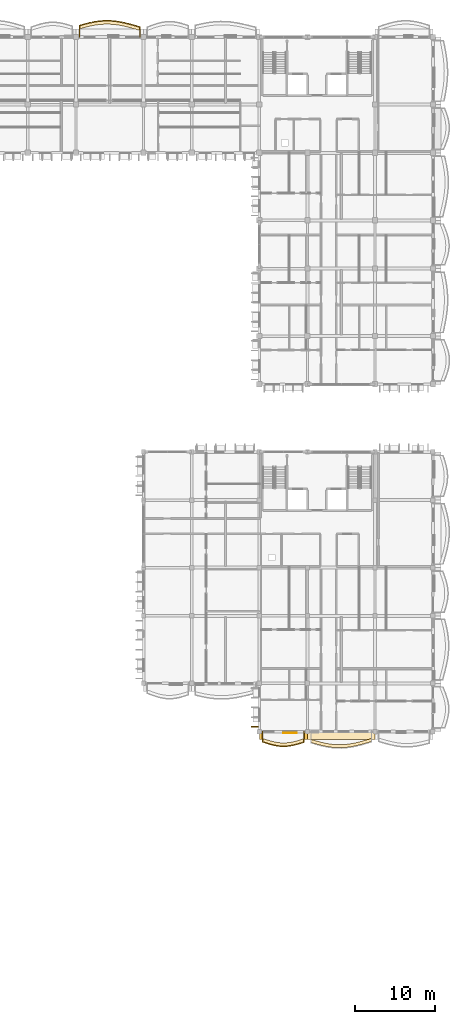
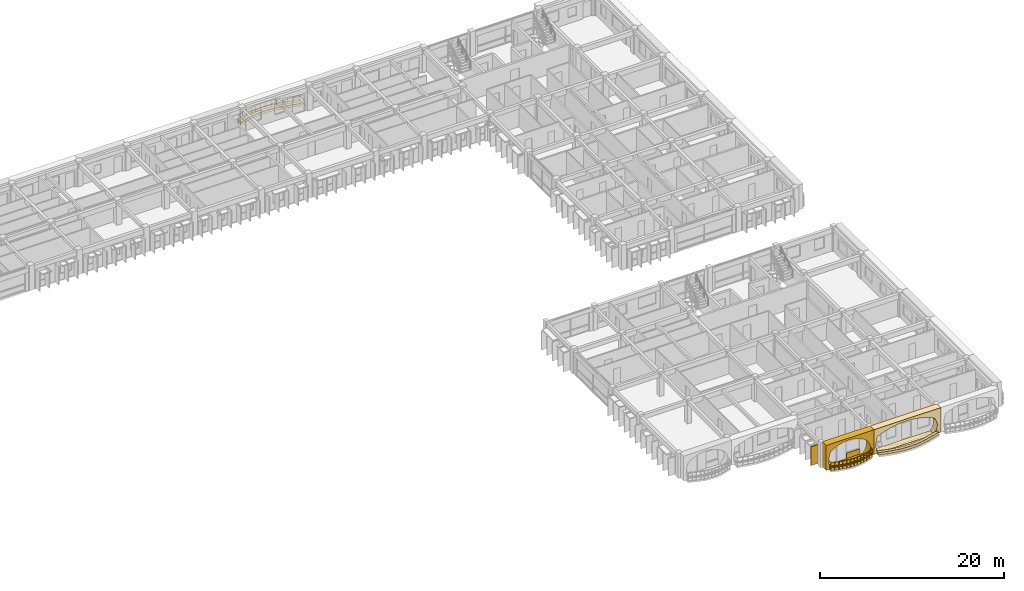
# One storey, part 68 of 79: 7 coverings, 2 railings.
"""IFC4 building model written with IfcOpenShell, lengths in metres."""

import ifcopenshell
import ifcopenshell.guid

model = None  # the IFC model being written
_history = None  # IfcOwnerHistory: only IFC2X3 demands one
_inside = {}  # id of a spatial element -> (the spatial element, [elements in it])
_under = {}  # id of a project, library or spatial element -> (it, [spatial elements below it])
_declared = {}  # id of a project -> (the project, [libraries it declares])
_typed = {}  # id of a type object -> (the type object, [elements of that type])
_made_of = {}  # id of a material, layer set ... -> (it, [elements and type objects made of it])


def new_model(schema):
    """Start an empty IFC model of exactly this schema.

    Asked for "IFC4X3", IfcOpenShell would pick the latest addendum, in which some entities
    have other attributes; the version numbers below select the first issue.
    IFC2X3 requires an IfcOwnerHistory on every rooted entity: one is made here for all.
    """
    global model, _history
    if schema == "IFC4X3":
        model = ifcopenshell.file(schema_version=(4, 3, 0, 0))
    else:
        model = ifcopenshell.file(schema=schema)
    _inside.clear()
    _under.clear()
    _declared.clear()
    _typed.clear()
    _made_of.clear()
    _history = None
    if model.schema == "IFC2X3":
        org = make("IfcOrganization", Name="unknown")
        user = make(
            "IfcPersonAndOrganization",
            ThePerson=make("IfcPerson", FamilyName="unknown"),
            TheOrganization=org,
        )
        app = make(
            "IfcApplication",
            ApplicationDeveloper=org,
            Version="unknown",
            ApplicationFullName="unknown",
            ApplicationIdentifier="unknown",
        )
        _history = make(
            "IfcOwnerHistory",
            OwningUser=user,
            OwningApplication=app,
            ChangeAction="ADDED",
            CreationDate=0,
        )
    return model


def make(cls, **values):
    """One entity of the class cls with the attributes given. An attribute that is None is left unset."""
    return model.create_entity(
        cls, **{name: value for name, value in values.items() if value is not None}
    )


def rooted(cls, **values):
    """An entity with a GlobalId (a new one), such as an element, a storey or a relation."""
    return make(cls, GlobalId=ifcopenshell.guid.new(), OwnerHistory=_history, **values)


def si_unit(unit_type, name, prefix=None):
    """IfcSIUnit, for example si_unit("LENGTHUNIT", "METRE", prefix="MILLI")."""
    return make("IfcSIUnit", UnitType=unit_type, Prefix=prefix, Name=name)


def assignment(units):
    """IfcUnitAssignment: the units of a project."""
    return None if units is None else make("IfcUnitAssignment", Units=units)


def point(xyz):
    """IfcCartesianPoint."""
    return None if xyz is None else make("IfcCartesianPoint", Coordinates=xyz)


def direction(xyz):
    """IfcDirection."""
    return None if xyz is None else make("IfcDirection", DirectionRatios=xyz)


def frame(location, z_axis=None, x_axis=None):
    """IfcAxis2Placement3D, a coordinate frame: its origin and axes. An axis left out is left unset."""
    return make(
        "IfcAxis2Placement3D",
        Location=point(location),
        Axis=direction(z_axis),
        RefDirection=direction(x_axis),
    )


def frame_2d(location, x_axis=None):
    """IfcAxis2Placement2D, a coordinate frame in the plane: its origin and x axis."""
    return make(
        "IfcAxis2Placement2D", Location=point(location), RefDirection=direction(x_axis)
    )


def origin():
    """The frame at (0, 0, 0) with its axes left unset."""
    return frame((0.0, 0.0, 0.0))


def origin_2d():
    """The frame at (0, 0) in the plane with its x axis left unset."""
    return frame_2d((0.0, 0.0))


def place(relative_to, where):
    """IfcLocalPlacement: puts the frame where relative to a parent placement (None: the world)."""
    return make(
        "IfcLocalPlacement", PlacementRelTo=relative_to, RelativePlacement=where
    )


def context(
    kind, dimensions, precision=None, world=None, true_north=None, identifier=None
):
    """IfcGeometricRepresentationContext, for example the 3D "Model" context."""
    return make(
        "IfcGeometricRepresentationContext",
        ContextIdentifier=identifier,
        ContextType=kind,
        CoordinateSpaceDimension=dimensions,
        Precision=precision,
        WorldCoordinateSystem=world,
        TrueNorth=true_north,
    )


def subcontext(parent, identifier, kind, view, scale=None):
    """IfcGeometricRepresentationSubContext, for example "Body" below "Model"."""
    return make(
        "IfcGeometricRepresentationSubContext",
        ContextIdentifier=identifier,
        ContextType=kind,
        ParentContext=parent,
        TargetScale=scale,
        TargetView=view,
    )


def project(units=None, contexts=None):
    """IfcProject with its units and contexts."""
    return rooted(
        "IfcProject",
        Name="project",
        RepresentationContexts=contexts,
        UnitsInContext=assignment(units),
    )


def spatial(cls, under=None, at=None, **own):
    """A site, building, storey or space (cls), placed at a placement, below another one or the project."""
    s = rooted(cls, ObjectPlacement=at, **own)
    if under is not None:
        _under.setdefault(under.id(), (under, []))[1].append(s)
    return s


def polyline(points):
    """IfcPolyline through the points."""
    return make("IfcPolyline", Points=[point(p) for p in points])


def profile(cls, at=None, kind="AREA", **sizes):
    """A parametric profile (cls). Its sizes go by their IFC names, for example OverallWidth=200.0."""
    return make(cls, ProfileType=kind, Position=at, **sizes)


def rectangle(**sizes):
    """IfcRectangleProfileDef."""
    return profile("IfcRectangleProfileDef", **sizes)


def outline(outer, holes=None, kind="AREA"):
    """IfcArbitraryClosedProfileDef: a profile drawn as a closed curve; with holes, ...WithVoids."""
    if holes is None:
        return make("IfcArbitraryClosedProfileDef", ProfileType=kind, OuterCurve=outer)
    return make(
        "IfcArbitraryProfileDefWithVoids",
        ProfileType=kind,
        OuterCurve=outer,
        InnerCurves=holes,
    )


def extrude(swept, where, along, depth):
    """IfcExtrudedAreaSolid: the profile swept, set in the frame where, extruded along a direction by depth."""
    return make(
        "IfcExtrudedAreaSolid",
        SweptArea=swept,
        Position=where,
        ExtrudedDirection=direction(along),
        Depth=depth,
    )


def shape(context_of_items, identifier, shape_type, items):
    """IfcShapeRepresentation: the items that make up one representation, for example the "Body"."""
    return make(
        "IfcShapeRepresentation",
        ContextOfItems=context_of_items,
        RepresentationIdentifier=identifier,
        RepresentationType=shape_type,
        Items=items,
    )


def material(Name=None, Category=None):
    """IfcMaterial."""
    return make("IfcMaterial", Name=Name, Category=Category)


def layer(
    of_material, thickness, ventilated=None, Name=None, Category=None, Priority=None
):
    """IfcMaterialLayer: one layer of a wall or slab, of a material (None: an air gap)."""
    return make(
        "IfcMaterialLayer",
        Material=of_material,
        LayerThickness=thickness,
        IsVentilated=ventilated,
        Name=Name,
        Category=Category,
        Priority=Priority,
    )


def layer_set(layers, Name=None):
    """IfcMaterialLayerSet."""
    return make("IfcMaterialLayerSet", MaterialLayers=layers, LayerSetName=Name)


def made_of(thing, what):
    """Note that an element or type object is made of a material, layer set ...; save() writes the relation."""
    if what is not None:
        _made_of.setdefault(what.id(), (what, []))[1].append(thing)
    return thing


def type_object(cls, material=None, **own):
    """A type object (cls), such as IfcWallType, which elements share."""
    return made_of(rooted(cls, **own), material)


def element(
    cls,
    number,
    at=None,
    inside=None,
    cuts=None,
    type_object=None,
    material=None,
    context=None,
    identifier="Body",
    shape_type=None,
    held_by="IfcProductDefinitionShape",
    body=None,
    shapes=None,
    **own,
):
    """One element of the class cls, such as IfcWall. Its Tag is "e" and its number.

    at: its placement. inside: the storey or other place that contains it. cuts: it is an
    opening in that element (IfcRelVoidsElement). A single representation is given by context,
    identifier, shape_type and body (its items); several are given by shapes. held_by: the class
    of the entity that holds the representations. save() writes the other relations.
    """
    e = rooted(cls, Tag="e%d" % number, ObjectPlacement=at, **own)
    if body is not None:
        shapes = [shape(context, identifier, shape_type, body)]
    if shapes is not None:
        e.Representation = make(held_by, Representations=shapes)
    if inside is not None:
        _inside.setdefault(inside.id(), (inside, []))[1].append(e)
    if cuts is not None:
        rooted(
            "IfcRelVoidsElement", RelatingBuildingElement=cuts, RelatedOpeningElement=e
        )
    if type_object is not None:
        _typed.setdefault(type_object.id(), (type_object, []))[1].append(e)
    return made_of(e, material)


def aggregate(whole, parts):
    """IfcRelAggregates: a whole, such as a stair, and the parts it consists of."""
    return rooted("IfcRelAggregates", RelatingObject=whole, RelatedObjects=parts)


def save(model, path):
    """Write the relations noted so far, then the file.

    IfcRelAggregates (storeys below a building ...), IfcRelContainedInSpatialStructure (elements
    in a storey), IfcRelDefinesByType, IfcRelAssociatesMaterial and IfcRelDeclares: one each for
    every whole, place, type object, material and project.
    """
    for whole, parts in _under.values():
        aggregate(whole, parts)
    for where, things in _inside.values():
        rooted(
            "IfcRelContainedInSpatialStructure",
            RelatedElements=things,
            RelatingStructure=where,
        )
    for kind, things in _typed.values():
        rooted("IfcRelDefinesByType", RelatedObjects=things, RelatingType=kind)
    for what, things in _made_of.values():
        rooted("IfcRelAssociatesMaterial", RelatedObjects=things, RelatingMaterial=what)
    for by, libraries in _declared.values():
        rooted("IfcRelDeclares", RelatingContext=by, RelatedDefinitions=libraries)
    model.write(path)


model = new_model("IFC4")

# Units and contexts
model_context = context("Model", 3, precision=1e-05, world=origin(), true_north=direction((0.0, 1.0)))
body_context = subcontext(model_context, "Body", "Model", "MODEL_VIEW")
ifc_project = project(units=[si_unit("LENGTHUNIT", "METRE"), si_unit("AREAUNIT", "SQUARE_METRE"), si_unit("VOLUMEUNIT", "CUBIC_METRE"), si_unit("PLANEANGLEUNIT", "RADIAN"), si_unit("MASSUNIT", "GRAM", prefix="KILO"), si_unit("THERMODYNAMICTEMPERATUREUNIT", "KELVIN")], contexts=[model_context])

# Site, building, storey
site_placement = place(None, origin())
site = spatial("IfcSite", under=ifc_project, at=site_placement, CompositionType="ELEMENT")
building_placement = place(site_placement, origin())
building = spatial("IfcBuilding", under=site, at=building_placement, Name="Thalorik Housing Commons", CompositionType="ELEMENT")
storey_placement = place(building_placement, frame((0.0, 0.0, 11.39990234375)))
storey = spatial("IfcBuildingStorey", under=building, at=storey_placement, Name="L03", CompositionType="ELEMENT", Elevation=11.39990234375)

# Coverings
ifc_material_1 = material(Name="Cobalt blue glazed ceramic facade tile panel", Category="masonry")
ifc_layer_1 = layer(ifc_material_1, 0.06005859375, Name="Cobalt blue glazed ceramic facade tile panel", Category="masonry")
ifc_layer_set_1 = layer_set([ifc_layer_1], Name="Cobalt blue glazed ceramic facade tile panel")
covering_type_1 = type_object("IfcCoveringType", Name="ARC-CLD-BLU-60", PredefinedType="CLADDING", material=ifc_layer_set_1)
covering_1_placement = place(storey_placement, frame((156.239990234375, 37.02001953125, 0.05029296875), z_axis=(0.0, 0.0, 1.0), x_axis=(1.0, 0.0, 0.0)))
element("IfcCovering", 1, at=covering_1_placement, inside=storey, type_object=covering_type_1, Name="L03 De Stijl Recessed Window Spandrel 4735", PredefinedType="CLADDING", context=body_context, shape_type="SweptSolid", body=[
    extrude(rectangle(XDim=1.679931640625, YDim=0.06005859375, at=origin_2d()), origin(), (0.0, 0.0, 1.0), 0.699951171875),
])
ifc_material_2 = material(Name="Precast concrete C40/50", Category="concrete")
ifc_layer_2 = layer(ifc_material_2, 0.85009765625, Name="Precast concrete C40/50", Category="concrete")
ifc_layer_set_2 = layer_set([ifc_layer_2], Name="Precast concrete C40/50")
covering_type_2 = type_object("IfcCoveringType", Name="ARC-CLD-CUSH-850", PredefinedType="CLADDING", material=ifc_layer_set_2)
covering_2_placement = place(storey_placement, frame((155.39990234375, 36.6298828125, 0.0), z_axis=(0.0, 0.0, 1.0), x_axis=(1.0, 0.0, 0.0)))
element("IfcCovering", 2, at=covering_2_placement, inside=storey, type_object=covering_type_2, Name="L03 White Precast Curved Cushion Bay Frame 4734", PredefinedType="CLADDING", context=body_context, shape_type="SweptSolid", body=[
    extrude(outline(polyline([(-3.0, 0.0), (3.0, 0.0), (3.0, 3.300048828125), (-3.0, 3.300048828125), (-3.0, 0.0)]), holes=[polyline([(2.0400390625, 0.02490234375), (2.3232421875, 0.40087890625), (2.493408203125, 0.776611328125), (2.550048828125, 1.152587890625), (2.493408203125, 1.5283203125), (2.3232421875, 1.904296875), (2.0400390625, 2.280029296875), (1.66748046875, 2.51123046875), (1.294921875, 2.693115234375), (0.922607421875, 2.840087890625), (0.550048828125, 2.94970703125), (0.177490234375, 3.01708984375), (-0.195068359375, 3.0400390625), (-0.5673828125, 3.01708984375), (-0.93994140625, 2.94970703125), (-1.3125, 2.840087890625), (-1.68505859375, 2.693115234375), (-2.0576171875, 2.51123046875), (-2.429931640625, 2.280029296875), (-2.55029296875, 1.904296875), (-2.62255859375, 1.5283203125), (-2.646484375, 1.152587890625), (-2.62255859375, 0.776611328125), (-2.55029296875, 0.40087890625), (-2.429931640625, 0.02490234375), (2.0400390625, 0.02490234375)])]), frame((0.0, 0.425048828125, 0.0), z_axis=(0.0, -1.0, 0.0), x_axis=(1.0, 0.0, 0.0)), (0.0, 0.0, 1.0), 0.85009765625),
])
covering_3_placement = place(storey_placement, frame((162.60009765625, 36.6298828125, 0.0), z_axis=(0.0, 0.0, 1.0), x_axis=(1.0, 0.0, 0.0)))
element("IfcCovering", 3, at=covering_3_placement, inside=storey, type_object=covering_type_2, Name="L03 White Precast Curved Cushion Bay Frame 4736", PredefinedType="CLADDING", context=body_context, shape_type="SweptSolid", body=[
    extrude(outline(polyline([(-4.199951171875, 0.0), (4.199951171875, 0.0), (4.199951171875, 3.300048828125), (-4.199951171875, 3.300048828125), (-4.199951171875, 0.0)]), holes=[polyline([(3.3349609375, 0.02490234375), (3.565673828125, 0.394287109375), (3.703857421875, 0.76318359375), (3.75, 1.132568359375), (3.703857421875, 1.501708984375), (3.565673828125, 1.870849609375), (3.3349609375, 2.239990234375), (2.743408203125, 2.4833984375), (2.151611328125, 2.6748046875), (1.56005859375, 2.82958984375), (0.96826171875, 2.94482421875), (0.376708984375, 3.01611328125), (-0.215087890625, 3.0400390625), (-0.806640625, 3.01611328125), (-1.398193359375, 2.94482421875), (-1.989990234375, 2.82958984375), (-2.581787109375, 2.6748046875), (-3.17333984375, 2.4833984375), (-3.764892578125, 2.239990234375), (-3.856689453125, 1.870849609375), (-3.911865234375, 1.501708984375), (-3.930419921875, 1.132568359375), (-3.911865234375, 0.76318359375), (-3.856689453125, 0.394287109375), (-3.764892578125, 0.02490234375), (3.3349609375, 0.02490234375)])]), frame((0.0, 0.425048828125, 0.0), z_axis=(0.0, -1.0, 0.0), x_axis=(1.0, 0.0, 0.0)), (0.0, 0.0, 1.0), 0.85009765625),
])
ifc_layer_3 = layer(ifc_material_2, 0.85009765625, Name="Precast concrete C40/50", Category="concrete")
ifc_layer_set_3 = layer_set([ifc_layer_3], Name="Precast concrete C40/50")
covering_type_3 = type_object("IfcCoveringType", Name="ARC-CLD-FIN-850", PredefinedType="CLADDING", material=ifc_layer_set_3)
covering_4_placement = place(storey_placement, frame((151.830078125, 37.800048828125, 0.0400390625), z_axis=(0.0, 0.0, 1.0), x_axis=(0.0, -1.0, 0.0)))
element("IfcCovering", 4, at=covering_4_placement, inside=storey, type_object=covering_type_3, Name="L03 Courtyard Precast Vertical Brise-Soleil Fin 4731", PredefinedType="CLADDING", context=body_context, shape_type="SweptSolid", body=[
    extrude(rectangle(XDim=0.110107421875, YDim=0.85009765625, at=origin_2d()), origin(), (0.0, 0.0, 1.0), 2.4951171875),
])
ifc_material_3 = material(Name="Planted vegetated substrate and terracotta trough", Category="masonry")
ifc_layer_4 = layer(ifc_material_3, 0.340087890625, Name="Planted vegetated substrate and terracotta trough", Category="masonry")
ifc_layer_set_4 = layer_set([ifc_layer_4], Name="Planted vegetated substrate and terracotta trough")
covering_type_4 = type_object("IfcCoveringType", Name="ARC-COV-PLANTER", PredefinedType="USERDEFINED", material=ifc_layer_set_4)
covering_5_placement = place(storey_placement, origin())
element("IfcCovering", 5, at=covering_5_placement, inside=storey, type_object=covering_type_4, Name="L03 Balcony Slab-Edge Planted Trough 5441", ObjectType="PLANTER", PredefinedType="USERDEFINED", context=body_context, shape_type="SweptSolid", body=[
    extrude(outline(polyline([(137.580078125, 124.79931640625), (136.949951171875, 124.97900390625), (136.320068359375, 125.15380859375), (135.68994140625, 125.3115234375), (135.06005859375, 125.44140625), (134.429931640625, 125.5341796875), (133.800048828125, 125.58349609375), (133.169921875, 125.58544921875), (132.5400390625, 125.5400390625), (131.909912109375, 125.4501953125), (131.280029296875, 125.322021484375), (130.64990234375, 125.1640625), (130.02001953125, 124.9873046875), (130.02001953125, 124.607421875), (130.64990234375, 124.7841796875), (131.280029296875, 124.94189453125), (131.909912109375, 125.0703125), (132.5400390625, 125.16015625), (133.169921875, 125.20556640625), (133.800048828125, 125.203369140625), (134.429931640625, 125.154296875), (135.06005859375, 125.061279296875), (135.68994140625, 124.931640625), (136.320068359375, 124.773681640625), (136.949951171875, 124.598876953125), (137.580078125, 124.419189453125), (137.580078125, 124.79931640625)])), origin(), (0.0, 0.0, 1.0), 0.340087890625),
])
covering_6_placement = place(storey_placement, origin())
element("IfcCovering", 6, at=covering_6_placement, inside=storey, type_object=covering_type_4, Name="L03 Balcony Slab-Edge Planted Trough 5660", ObjectType="PLANTER", PredefinedType="USERDEFINED", context=body_context, shape_type="SweptSolid", body=[
    extrude(outline(polyline([(152.820068359375, 35.9658203125), (153.25, 35.824951171875), (153.679931640625, 35.69189453125), (154.110107421875, 35.576416015625), (154.5400390625, 35.486572265625), (154.969970703125, 35.4287109375), (155.39990234375, 35.406982421875), (155.830078125, 35.4228515625), (156.260009765625, 35.47509765625), (156.68994140625, 35.559814453125), (157.1201171875, 35.670654296875), (157.550048828125, 35.7998046875), (157.97998046875, 35.937744140625), (157.97998046875, 36.31787109375), (157.550048828125, 36.1796875), (157.1201171875, 36.05078125), (156.68994140625, 35.939697265625), (156.260009765625, 35.85498046875), (155.830078125, 35.802978515625), (155.39990234375, 35.787109375), (154.969970703125, 35.80859375), (154.5400390625, 35.866455078125), (154.110107421875, 35.956298828125), (153.679931640625, 36.072021484375), (153.25, 36.204833984375), (152.820068359375, 36.345703125), (152.820068359375, 35.9658203125)])), origin(), (0.0, 0.0, 1.0), 0.340087890625),
])
covering_7_placement = place(storey_placement, origin())
element("IfcCovering", 7, at=covering_7_placement, inside=storey, type_object=covering_type_4, Name="L03 Balcony Slab-Edge Planted Trough 5661", ObjectType="PLANTER", PredefinedType="USERDEFINED", context=body_context, shape_type="SweptSolid", body=[
    extrude(outline(polyline([(158.820068359375, 35.849853515625), (159.449951171875, 35.6640625), (160.080078125, 35.4951171875), (160.7099609375, 35.3544921875), (161.340087890625, 35.251953125), (161.969970703125, 35.194580078125), (162.60009765625, 35.185791015625), (163.22998046875, 35.226806640625), (163.860107421875, 35.314208984375), (164.489990234375, 35.44189453125), (165.1201171875, 35.601318359375), (165.75, 35.781005859375), (166.3798828125, 35.968505859375), (166.3798828125, 36.348388671875), (165.75, 36.160888671875), (165.1201171875, 35.981201171875), (164.489990234375, 35.822021484375), (163.860107421875, 35.694091796875), (163.22998046875, 35.606689453125), (162.60009765625, 35.56591796875), (161.969970703125, 35.574462890625), (161.340087890625, 35.632080078125), (160.7099609375, 35.734619140625), (160.080078125, 35.875244140625), (159.449951171875, 36.044189453125), (158.820068359375, 36.229736328125), (158.820068359375, 35.849853515625)])), origin(), (0.0, 0.0, 1.0), 0.340087890625),
])

# Railings
ifc_material_4 = material(Name="Steel S355", Category="steel")
railing_type_1 = type_object("IfcRailingType", Name="ARC-RL-BAL-112", PredefinedType="BALUSTRADE", material=ifc_material_4)
railing_1_placement = place(storey_placement, frame((152.820068359375, 37.199951171875, 0.0)))
element("IfcRailing", 8, at=railing_1_placement, inside=storey, type_object=railing_type_1, Name="L03 Cushion Balcony Guardrail 344", PredefinedType="BALUSTRADE", context=body_context, shape_type="SweptSolid", body=[
    extrude(rectangle(XDim=0.050048828125, YDim=0.050048828125, at=origin_2d()), frame((0.0, 0.0, 1.09521484375), z_axis=(0.0, -1.0, 0.0), x_axis=(1.0, 0.0, 0.0)), (0.0, 0.0, 1.0), 1.30419921875),
    extrude(rectangle(XDim=0.050048828125, YDim=0.050048828125, at=origin_2d()), frame((0.0, 0.0, 0.53515625), z_axis=(0.0, -1.0, 0.0), x_axis=(1.0, 0.0, 0.0)), (0.0, 0.0, 1.0), 1.30419921875),
    extrude(rectangle(XDim=0.050048828125, YDim=0.050048828125, at=origin_2d()), frame((0.0, -1.30419921875, 1.09521484375), z_axis=(0.950289758629, -0.311366945332, 0.0), x_axis=(0.311366945332, 0.950289758629, 0.0)), (0.0, 0.0, 1.0), 0.452392578125),
    extrude(rectangle(XDim=0.050048828125, YDim=0.050048828125, at=origin_2d()), frame((0.0, -1.30419921875, 0.53515625), z_axis=(0.950289758629, -0.311366945332, 0.0), x_axis=(0.311366945332, 0.950289758629, 0.0)), (0.0, 0.0, 1.0), 0.452392578125),
    extrude(rectangle(XDim=0.050048828125, YDim=0.050048828125, at=origin_2d()), frame((0.429931640625, -1.445068359375, 1.09521484375), z_axis=(0.955296834935, -0.295648367427, 0.0), x_axis=(0.295648367427, 0.955296834935, 0.0)), (0.0, 0.0, 1.0), 0.449951171875),
    extrude(rectangle(XDim=0.050048828125, YDim=0.050048828125, at=origin_2d()), frame((0.429931640625, -1.445068359375, 0.53515625), z_axis=(0.955296834935, -0.295648367427, 0.0), x_axis=(0.295648367427, 0.955296834935, 0.0)), (0.0, 0.0, 1.0), 0.449951171875),
    extrude(rectangle(XDim=0.050048828125, YDim=0.050048828125, at=origin_2d()), frame((0.85986328125, -1.578125, 1.09521484375), z_axis=(0.965806021834, -0.259265748199, 0.0), x_axis=(0.259265748199, 0.965806021834, 0.0)), (0.0, 0.0, 1.0), 0.4453125),
    extrude(rectangle(XDim=0.050048828125, YDim=0.050048828125, at=origin_2d()), frame((0.85986328125, -1.578125, 0.53515625), z_axis=(0.965806021834, -0.259265748199, 0.0), x_axis=(0.259265748199, 0.965806021834, 0.0)), (0.0, 0.0, 1.0), 0.4453125),
    extrude(rectangle(XDim=0.050048828125, YDim=0.050048828125, at=origin_2d()), frame((1.2900390625, -1.693603515625, 1.09521484375), z_axis=(0.978855377686, -0.204553537188, 0.0), x_axis=(0.204553537188, 0.978855377686, 0.0)), (0.0, 0.0, 1.0), 0.439208984375),
    extrude(rectangle(XDim=0.050048828125, YDim=0.050048828125, at=origin_2d()), frame((1.2900390625, -1.693603515625, 0.53515625), z_axis=(0.978855377686, -0.204553537188, 0.0), x_axis=(0.204553537188, 0.978855377686, 0.0)), (0.0, 0.0, 1.0), 0.439208984375),
    extrude(rectangle(XDim=0.050048828125, YDim=0.050048828125, at=origin_2d()), frame((1.719970703125, -1.783447265625, 1.09521484375), z_axis=(0.99106495406, -0.133380121586, 0.0), x_axis=(0.133380121586, 0.99106495406, 0.0)), (0.0, 0.0, 1.0), 0.433837890625),
    extrude(rectangle(XDim=0.050048828125, YDim=0.050048828125, at=origin_2d()), frame((1.719970703125, -1.783447265625, 0.53515625), z_axis=(0.99106495406, -0.133380121586, 0.0), x_axis=(0.133380121586, 0.99106495406, 0.0)), (0.0, 0.0, 1.0), 0.433837890625),
    extrude(rectangle(XDim=0.050048828125, YDim=0.050048828125, at=origin_2d()), frame((2.14990234375, -1.84130859375, 1.09521484375), z_axis=(0.99872532253, -0.050475044693, 0.0), x_axis=(0.050475044693, 0.99872532253, 0.0)), (0.0, 0.0, 1.0), 0.430419921875),
    extrude(rectangle(XDim=0.050048828125, YDim=0.050048828125, at=origin_2d()), frame((2.14990234375, -1.84130859375, 0.53515625), z_axis=(0.99872532253, -0.050475044693, 0.0), x_axis=(0.050475044693, 0.99872532253, 0.0)), (0.0, 0.0, 1.0), 0.430419921875),
    extrude(rectangle(XDim=0.050048828125, YDim=0.050048828125, at=origin_2d()), frame((2.579833984375, -1.863037109375, 1.09521484375), z_axis=(0.999320261414, 0.036864822356, 0.0), x_axis=(-0.036864822356, 0.999320261414, 0.0)), (0.0, 0.0, 1.0), 0.430419921875),
    extrude(rectangle(XDim=0.050048828125, YDim=0.050048828125, at=origin_2d()), frame((2.579833984375, -1.863037109375, 0.53515625), z_axis=(0.999320261414, 0.036864822356, 0.0), x_axis=(-0.036864822356, 0.999320261414, 0.0)), (0.0, 0.0, 1.0), 0.430419921875),
    extrude(rectangle(XDim=0.050048828125, YDim=0.050048828125, at=origin_2d()), frame((3.010009765625, -1.84716796875, 1.09521484375), z_axis=(0.992697005223, 0.12063438905, 0.0), x_axis=(-0.12063438905, 0.992697005223, 0.0)), (0.0, 0.0, 1.0), 0.43310546875),
    extrude(rectangle(XDim=0.050048828125, YDim=0.050048828125, at=origin_2d()), frame((3.010009765625, -1.84716796875, 0.53515625), z_axis=(0.992697005223, 0.12063438905, 0.0), x_axis=(-0.12063438905, 0.992697005223, 0.0)), (0.0, 0.0, 1.0), 0.43310546875),
    extrude(rectangle(XDim=0.050048828125, YDim=0.050048828125, at=origin_2d()), frame((3.43994140625, -1.794921875, 1.09521484375), z_axis=(0.98113386456, 0.193329614425, 0.0), x_axis=(-0.193329614425, 0.98113386456, 0.0)), (0.0, 0.0, 1.0), 0.438232421875),
    extrude(rectangle(XDim=0.050048828125, YDim=0.050048828125, at=origin_2d()), frame((3.43994140625, -1.794921875, 0.53515625), z_axis=(0.98113386456, 0.193329614425, 0.0), x_axis=(-0.193329614425, 0.98113386456, 0.0)), (0.0, 0.0, 1.0), 0.438232421875),
    extrude(rectangle(XDim=0.050048828125, YDim=0.050048828125, at=origin_2d()), frame((3.869873046875, -1.710205078125, 1.09521484375), z_axis=(0.968371622703, 0.249512325032, 0.0), x_axis=(-0.249512325032, 0.968371622703, 0.0)), (0.0, 0.0, 1.0), 0.4443359375),
    extrude(rectangle(XDim=0.050048828125, YDim=0.050048828125, at=origin_2d()), frame((3.869873046875, -1.710205078125, 0.53515625), z_axis=(0.968371622703, 0.249512325032, 0.0), x_axis=(-0.249512325032, 0.968371622703, 0.0)), (0.0, 0.0, 1.0), 0.4443359375),
    extrude(rectangle(XDim=0.050048828125, YDim=0.050048828125, at=origin_2d()), frame((4.300048828125, -1.599365234375, 1.09521484375), z_axis=(0.957721442929, 0.287697128512, 0.0), x_axis=(-0.287697128512, 0.957721442929, 0.0)), (0.0, 0.0, 1.0), 0.448974609375),
    extrude(rectangle(XDim=0.050048828125, YDim=0.050048828125, at=origin_2d()), frame((4.300048828125, -1.599365234375, 0.53515625), z_axis=(0.957721442929, 0.287697128512, 0.0), x_axis=(-0.287697128512, 0.957721442929, 0.0)), (0.0, 0.0, 1.0), 0.448974609375),
    extrude(rectangle(XDim=0.050048828125, YDim=0.050048828125, at=origin_2d()), frame((4.72998046875, -1.47021484375, 1.09521484375), z_axis=(0.952034186086, 0.30599168048, 0.0), x_axis=(-0.30599168048, 0.952034186086, 0.0)), (0.0, 0.0, 1.0), 0.45166015625),
    extrude(rectangle(XDim=0.050048828125, YDim=0.050048828125, at=origin_2d()), frame((4.72998046875, -1.47021484375, 0.53515625), z_axis=(0.952034186086, 0.30599168048, 0.0), x_axis=(-0.30599168048, 0.952034186086, 0.0)), (0.0, 0.0, 1.0), 0.45166015625),
    extrude(rectangle(XDim=0.050048828125, YDim=0.050048828125, at=origin_2d()), frame((5.159912109375, -1.33203125, 1.09521484375), z_axis=(0.0, 1.0, 0.0), x_axis=(-1.0, 0.0, 0.0)), (0.0, 0.0, 1.0), 1.33203125),
    extrude(rectangle(XDim=0.050048828125, YDim=0.050048828125, at=origin_2d()), frame((5.159912109375, -1.33203125, 0.53515625), z_axis=(0.0, 1.0, 0.0), x_axis=(-1.0, 0.0, 0.0)), (0.0, 0.0, 1.0), 1.33203125),
    extrude(rectangle(XDim=0.0419921875, YDim=0.0419921875, at=origin_2d()), origin(), (0.0, 0.0, 1.0), 1.070068359375),
    extrude(rectangle(XDim=0.0419921875, YDim=0.0419921875, at=origin_2d()), frame((0.0, -1.30419921875, 0.0)), (0.0, 0.0, 1.0), 1.070068359375),
    extrude(rectangle(XDim=0.0419921875, YDim=0.0419921875, at=origin_2d()), frame((0.429931640625, -1.445068359375, 0.0)), (0.0, 0.0, 1.0), 1.070068359375),
    extrude(rectangle(XDim=0.0419921875, YDim=0.0419921875, at=origin_2d()), frame((0.85986328125, -1.578125, 0.0)), (0.0, 0.0, 1.0), 1.070068359375),
    extrude(rectangle(XDim=0.0419921875, YDim=0.0419921875, at=origin_2d()), frame((1.2900390625, -1.693603515625, 0.0)), (0.0, 0.0, 1.0), 1.070068359375),
    extrude(rectangle(XDim=0.0419921875, YDim=0.0419921875, at=origin_2d()), frame((1.719970703125, -1.783447265625, 0.0)), (0.0, 0.0, 1.0), 1.070068359375),
    extrude(rectangle(XDim=0.0419921875, YDim=0.0419921875, at=origin_2d()), frame((2.14990234375, -1.84130859375, 0.0)), (0.0, 0.0, 1.0), 1.070068359375),
    extrude(rectangle(XDim=0.0419921875, YDim=0.0419921875, at=origin_2d()), frame((2.579833984375, -1.863037109375, 0.0)), (0.0, 0.0, 1.0), 1.070068359375),
    extrude(rectangle(XDim=0.0419921875, YDim=0.0419921875, at=origin_2d()), frame((3.010009765625, -1.84716796875, 0.0)), (0.0, 0.0, 1.0), 1.070068359375),
    extrude(rectangle(XDim=0.0419921875, YDim=0.0419921875, at=origin_2d()), frame((3.43994140625, -1.794921875, 0.0)), (0.0, 0.0, 1.0), 1.070068359375),
    extrude(rectangle(XDim=0.0419921875, YDim=0.0419921875, at=origin_2d()), frame((3.869873046875, -1.710205078125, 0.0)), (0.0, 0.0, 1.0), 1.070068359375),
    extrude(rectangle(XDim=0.0419921875, YDim=0.0419921875, at=origin_2d()), frame((4.300048828125, -1.599365234375, 0.0)), (0.0, 0.0, 1.0), 1.070068359375),
    extrude(rectangle(XDim=0.0419921875, YDim=0.0419921875, at=origin_2d()), frame((4.72998046875, -1.47021484375, 0.0)), (0.0, 0.0, 1.0), 1.070068359375),
    extrude(rectangle(XDim=0.0419921875, YDim=0.0419921875, at=origin_2d()), frame((5.159912109375, -1.33203125, 0.0)), (0.0, 0.0, 1.0), 1.070068359375),
    extrude(rectangle(XDim=0.0419921875, YDim=0.0419921875, at=origin_2d()), frame((5.159912109375, 0.0, 0.0)), (0.0, 0.0, 1.0), 1.070068359375),
])
railing_type_2 = type_object("IfcRailingType", Name="ARC-RL-BAL-115", PredefinedType="BALUSTRADE", material=ifc_material_4)
railing_2_placement = place(storey_placement, frame((137.580078125, 123.60009765625, 0.0)))
element("IfcRailing", 9, at=railing_2_placement, inside=storey, type_object=railing_type_2, Name="L03 Cushion Balcony Guardrail 125", PredefinedType="BALUSTRADE", context=body_context, shape_type="SweptSolid", body=[
    extrude(rectangle(XDim=0.050048828125, YDim=0.050048828125, at=origin_2d()), frame((0.0, 0.0, 1.125), z_axis=(0.0, 1.0, 0.0), x_axis=(-1.0, 0.0, 0.0)), (0.0, 0.0, 1.0), 1.26904296875),
    extrude(rectangle(XDim=0.050048828125, YDim=0.050048828125, at=origin_2d()), frame((0.0, 0.0, 0.5498046875), z_axis=(0.0, 1.0, 0.0), x_axis=(-1.0, 0.0, 0.0)), (0.0, 0.0, 1.0), 1.26904296875),
    extrude(rectangle(XDim=0.050048828125, YDim=0.050048828125, at=origin_2d()), frame((0.0, 1.26904296875, 1.125), z_axis=(-0.96166442312, 0.274228986988, 0.0), x_axis=(-0.274228986988, -0.96166442312, 0.0)), (0.0, 0.0, 1.0), 0.6552734375),
    extrude(rectangle(XDim=0.050048828125, YDim=0.050048828125, at=origin_2d()), frame((0.0, 1.26904296875, 0.5498046875), z_axis=(-0.96166442312, 0.274228986988, 0.0), x_axis=(-0.274228986988, -0.96166442312, 0.0)), (0.0, 0.0, 1.0), 0.6552734375),
    extrude(rectangle(XDim=0.050048828125, YDim=0.050048828125, at=origin_2d()), frame((-0.630126953125, 1.44873046875, 1.125), z_axis=(-0.963485801487, 0.267759426227, 0.0), x_axis=(-0.267759426227, -0.963485801487, 0.0)), (0.0, 0.0, 1.0), 0.65380859375),
    extrude(rectangle(XDim=0.050048828125, YDim=0.050048828125, at=origin_2d()), frame((-0.630126953125, 1.44873046875, 0.5498046875), z_axis=(-0.963485801487, 0.267759426227, 0.0), x_axis=(-0.267759426227, -0.963485801487, 0.0)), (0.0, 0.0, 1.0), 0.65380859375),
    extrude(rectangle(XDim=0.050048828125, YDim=0.050048828125, at=origin_2d()), frame((-1.260009765625, 1.623779296875, 1.125), z_axis=(-0.970076136899, 0.242800923842, 0.0), x_axis=(-0.242800923842, -0.970076136899, 0.0)), (0.0, 0.0, 1.0), 0.649658203125),
    extrude(rectangle(XDim=0.050048828125, YDim=0.050048828125, at=origin_2d()), frame((-1.260009765625, 1.623779296875, 0.5498046875), z_axis=(-0.970076136899, 0.242800923842, 0.0), x_axis=(-0.242800923842, -0.970076136899, 0.0)), (0.0, 0.0, 1.0), 0.649658203125),
    extrude(rectangle(XDim=0.050048828125, YDim=0.050048828125, at=origin_2d()), frame((-1.89013671875, 1.781494140625, 1.125), z_axis=(-0.979395251557, 0.201952819313, 0.0), x_axis=(-0.201952819313, -0.979395251557, 0.0)), (0.0, 0.0, 1.0), 0.64306640625),
    extrude(rectangle(XDim=0.050048828125, YDim=0.050048828125, at=origin_2d()), frame((-1.89013671875, 1.781494140625, 0.5498046875), z_axis=(-0.979395251557, 0.201952819313, 0.0), x_axis=(-0.201952819313, -0.979395251557, 0.0)), (0.0, 0.0, 1.0), 0.64306640625),
    extrude(rectangle(XDim=0.050048828125, YDim=0.050048828125, at=origin_2d()), frame((-2.52001953125, 1.911376953125, 1.125), z_axis=(-0.989334778936, 0.145659518015, 0.0), x_axis=(-0.145659518015, -0.989334778936, 0.0)), (0.0, 0.0, 1.0), 0.636962890625),
    extrude(rectangle(XDim=0.050048828125, YDim=0.050048828125, at=origin_2d()), frame((-2.52001953125, 1.911376953125, 0.5498046875), z_axis=(-0.989334778936, 0.145659518015, 0.0), x_axis=(-0.145659518015, -0.989334778936, 0.0)), (0.0, 0.0, 1.0), 0.636962890625),
    extrude(rectangle(XDim=0.050048828125, YDim=0.050048828125, at=origin_2d()), frame((-3.150146484375, 2.004150390625, 1.125), z_axis=(-0.996978996531, 0.077671619497, 0.0), x_axis=(-0.077671619497, -0.996978996531, 0.0)), (0.0, 0.0, 1.0), 0.6318359375),
    extrude(rectangle(XDim=0.050048828125, YDim=0.050048828125, at=origin_2d()), frame((-3.150146484375, 2.004150390625, 0.5498046875), z_axis=(-0.996978996531, 0.077671619497, 0.0), x_axis=(-0.077671619497, -0.996978996531, 0.0)), (0.0, 0.0, 1.0), 0.6318359375),
    extrude(rectangle(XDim=0.050048828125, YDim=0.050048828125, at=origin_2d()), frame((-3.780029296875, 2.05322265625, 1.125), z_axis=(-0.999993920399, 0.003486999335, 0.0), x_axis=(-0.003486999335, -0.999993920399, 0.0)), (0.0, 0.0, 1.0), 0.630126953125),
    extrude(rectangle(XDim=0.050048828125, YDim=0.050048828125, at=origin_2d()), frame((-3.780029296875, 2.05322265625, 0.5498046875), z_axis=(-0.999993920399, 0.003486999335, 0.0), x_axis=(-0.003486999335, -0.999993920399, 0.0)), (0.0, 0.0, 1.0), 0.630126953125),
    extrude(rectangle(XDim=0.050048828125, YDim=0.050048828125, at=origin_2d()), frame((-4.41015625, 2.055419921875, 1.125), z_axis=(-0.997411384201, -0.071906402117, 0.0), x_axis=(0.071906402117, -0.997411384201, 0.0)), (0.0, 0.0, 1.0), 0.631591796875),
    extrude(rectangle(XDim=0.050048828125, YDim=0.050048828125, at=origin_2d()), frame((-4.41015625, 2.055419921875, 0.5498046875), z_axis=(-0.997411384201, -0.071906402117, 0.0), x_axis=(0.071906402117, -0.997411384201, 0.0)), (0.0, 0.0, 1.0), 0.631591796875),
    extrude(rectangle(XDim=0.050048828125, YDim=0.050048828125, at=origin_2d()), frame((-5.0400390625, 2.010009765625, 1.125), z_axis=(-0.989987814004, -0.14115285376, 0.0), x_axis=(0.14115285376, -0.989987814004, 0.0)), (0.0, 0.0, 1.0), 0.636474609375),
    extrude(rectangle(XDim=0.050048828125, YDim=0.050048828125, at=origin_2d()), frame((-5.0400390625, 2.010009765625, 0.5498046875), z_axis=(-0.989987814004, -0.14115285376, 0.0), x_axis=(0.14115285376, -0.989987814004, 0.0)), (0.0, 0.0, 1.0), 0.636474609375),
    extrude(rectangle(XDim=0.050048828125, YDim=0.050048828125, at=origin_2d()), frame((-5.670166015625, 1.920166015625, 1.125), z_axis=(-0.979917798202, -0.199401877541, 0.0), x_axis=(0.199401877541, -0.979917798202, 0.0)), (0.0, 0.0, 1.0), 0.642822265625),
    extrude(rectangle(XDim=0.050048828125, YDim=0.050048828125, at=origin_2d()), frame((-5.670166015625, 1.920166015625, 0.5498046875), z_axis=(-0.979917798202, -0.199401877541, 0.0), x_axis=(0.199401877541, -0.979917798202, 0.0)), (0.0, 0.0, 1.0), 0.642822265625),
    extrude(rectangle(XDim=0.050048828125, YDim=0.050048828125, at=origin_2d()), frame((-6.300048828125, 1.7919921875, 1.125), z_axis=(-0.969987553877, -0.243154570848, 0.0), x_axis=(0.243154570848, -0.969987553877, 0.0)), (0.0, 0.0, 1.0), 0.649658203125),
    extrude(rectangle(XDim=0.050048828125, YDim=0.050048828125, at=origin_2d()), frame((-6.300048828125, 1.7919921875, 0.5498046875), z_axis=(-0.969987553877, -0.243154570848, 0.0), x_axis=(0.243154570848, -0.969987553877, 0.0)), (0.0, 0.0, 1.0), 0.649658203125),
    extrude(rectangle(XDim=0.050048828125, YDim=0.050048828125, at=origin_2d()), frame((-6.93017578125, 1.634033203125, 1.125), z_axis=(-0.962808829557, -0.270183563023, 0.0), x_axis=(0.270183563023, -0.962808829557, 0.0)), (0.0, 0.0, 1.0), 0.654296875),
    extrude(rectangle(XDim=0.050048828125, YDim=0.050048828125, at=origin_2d()), frame((-6.93017578125, 1.634033203125, 0.5498046875), z_axis=(-0.962808829557, -0.270183563023, 0.0), x_axis=(0.270183563023, -0.962808829557, 0.0)), (0.0, 0.0, 1.0), 0.654296875),
    extrude(rectangle(XDim=0.050048828125, YDim=0.050048828125, at=origin_2d()), frame((-7.56005859375, 1.457275390625, 1.125), z_axis=(0.0, -1.0, 0.0), x_axis=(1.0, 0.0, 0.0)), (0.0, 0.0, 1.0), 1.457275390625),
    extrude(rectangle(XDim=0.050048828125, YDim=0.050048828125, at=origin_2d()), frame((-7.56005859375, 1.457275390625, 0.5498046875), z_axis=(0.0, -1.0, 0.0), x_axis=(1.0, 0.0, 0.0)), (0.0, 0.0, 1.0), 1.457275390625),
    extrude(rectangle(XDim=0.0419921875, YDim=0.0419921875, at=origin_2d()), origin(), (0.0, 0.0, 1.0), 1.099853515625),
    extrude(rectangle(XDim=0.0419921875, YDim=0.0419921875, at=origin_2d()), frame((0.0, 1.26904296875, 0.0)), (0.0, 0.0, 1.0), 1.099853515625),
    extrude(rectangle(XDim=0.0419921875, YDim=0.0419921875, at=origin_2d()), frame((-0.630126953125, 1.44873046875, 0.0)), (0.0, 0.0, 1.0), 1.099853515625),
    extrude(rectangle(XDim=0.0419921875, YDim=0.0419921875, at=origin_2d()), frame((-1.260009765625, 1.623779296875, 0.0)), (0.0, 0.0, 1.0), 1.099853515625),
    extrude(rectangle(XDim=0.0419921875, YDim=0.0419921875, at=origin_2d()), frame((-1.89013671875, 1.781494140625, 0.0)), (0.0, 0.0, 1.0), 1.099853515625),
    extrude(rectangle(XDim=0.0419921875, YDim=0.0419921875, at=origin_2d()), frame((-2.52001953125, 1.911376953125, 0.0)), (0.0, 0.0, 1.0), 1.099853515625),
    extrude(rectangle(XDim=0.0419921875, YDim=0.0419921875, at=origin_2d()), frame((-3.150146484375, 2.004150390625, 0.0)), (0.0, 0.0, 1.0), 1.099853515625),
    extrude(rectangle(XDim=0.0419921875, YDim=0.0419921875, at=origin_2d()), frame((-3.780029296875, 2.05322265625, 0.0)), (0.0, 0.0, 1.0), 1.099853515625),
    extrude(rectangle(XDim=0.0419921875, YDim=0.0419921875, at=origin_2d()), frame((-4.41015625, 2.055419921875, 0.0)), (0.0, 0.0, 1.0), 1.099853515625),
    extrude(rectangle(XDim=0.0419921875, YDim=0.0419921875, at=origin_2d()), frame((-5.0400390625, 2.010009765625, 0.0)), (0.0, 0.0, 1.0), 1.099853515625),
    extrude(rectangle(XDim=0.0419921875, YDim=0.0419921875, at=origin_2d()), frame((-5.670166015625, 1.920166015625, 0.0)), (0.0, 0.0, 1.0), 1.099853515625),
    extrude(rectangle(XDim=0.0419921875, YDim=0.0419921875, at=origin_2d()), frame((-6.300048828125, 1.7919921875, 0.0)), (0.0, 0.0, 1.0), 1.099853515625),
    extrude(rectangle(XDim=0.0419921875, YDim=0.0419921875, at=origin_2d()), frame((-6.93017578125, 1.634033203125, 0.0)), (0.0, 0.0, 1.0), 1.099853515625),
    extrude(rectangle(XDim=0.0419921875, YDim=0.0419921875, at=origin_2d()), frame((-7.56005859375, 1.457275390625, 0.0)), (0.0, 0.0, 1.0), 1.099853515625),
    extrude(rectangle(XDim=0.0419921875, YDim=0.0419921875, at=origin_2d()), frame((-7.56005859375, 0.0, 0.0)), (0.0, 0.0, 1.0), 1.099853515625),
])

save(model, "model.ifc")
